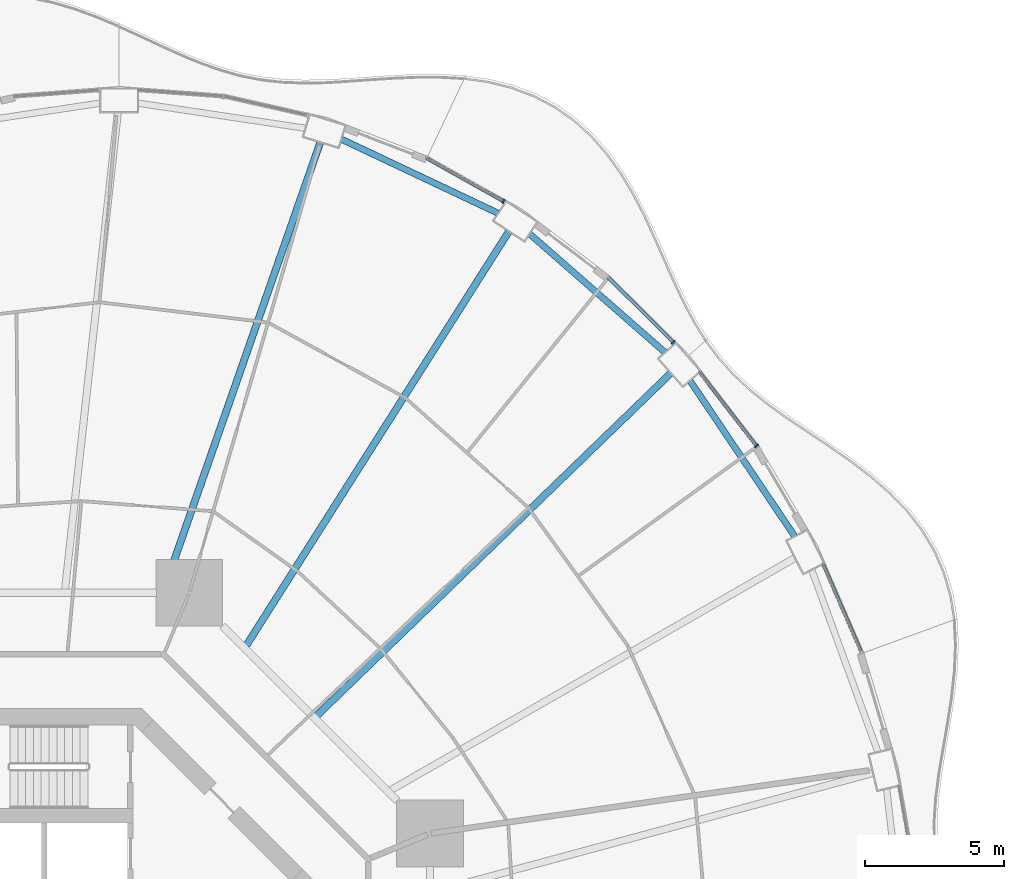
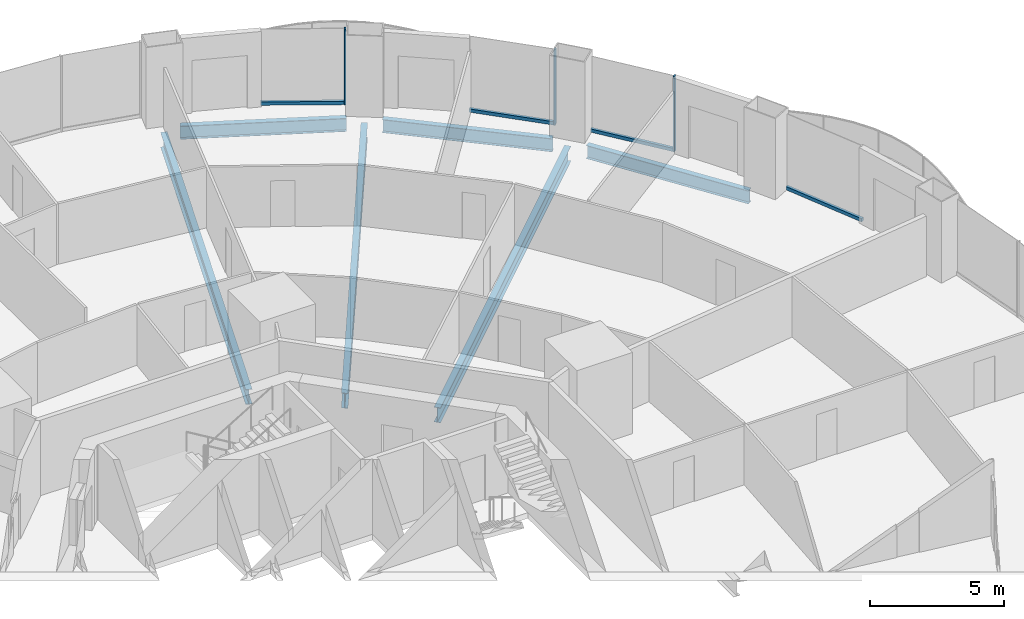
# One storey, part 10 of 22: 7 members, 6 beams, 4 elements without a shape of their own.
"""IFC4 building model written with IfcOpenShell, lengths in metres."""

from ifc_helpers import new_model, si_unit, direction, frame, origin, origin_2d, place, context, subcontext, project, spatial, rectangle, i_section, extrude, material, layer, layer_set, material_profile, profile_set, type_object, element, aggregate, save


model = new_model("IFC4")

# Units and contexts
model_context = context("Model", 3, precision=1e-05, world=origin(), true_north=direction((0.0, 1.0)))
body_context = subcontext(model_context, "Body", "Model", "MODEL_VIEW")
ifc_project = project(units=[si_unit("LENGTHUNIT", "METRE"), si_unit("AREAUNIT", "SQUARE_METRE"), si_unit("VOLUMEUNIT", "CUBIC_METRE"), si_unit("PLANEANGLEUNIT", "RADIAN"), si_unit("MASSUNIT", "GRAM", prefix="KILO")], contexts=[model_context])

# Site, building, storey
site_placement = place(None, origin())
site = spatial("IfcSite", under=ifc_project, at=site_placement, CompositionType="ELEMENT")
building_placement = place(site_placement, origin())
building = spatial("IfcBuilding", under=site, at=building_placement, Name="Nagisa Residences", CompositionType="ELEMENT")
storey_placement = place(building_placement, frame((0.0, 0.0, 38.10009765625)))
storey = spatial("IfcBuildingStorey", under=building, at=storey_placement, Name="L08", CompositionType="ELEMENT", Elevation=38.10009765625)

# Curtain wall, member
ifc_material_1 = material(Name="Concrete-coloured aluminium curtain wall system", Category="concrete")
ifc_layer = layer(ifc_material_1, 0.159912109375)
ifc_layer_set = layer_set([ifc_layer], Name="CW1 CURTAIN WALL")
curtain_wall_type = type_object("IfcCurtainWallType", Name="CW1 CURTAIN WALL", PredefinedType="NOTDEFINED", material=ifc_layer_set)
curtain_wall_1_placement = place(storey_placement, origin())
curtain_wall_1 = element("IfcCurtainWall", 1, at=curtain_wall_1_placement, inside=storey, type_object=curtain_wall_type, Name="cw:CW1:L08:05", PredefinedType="NOTDEFINED")
ifc_material_2 = material(Name="Concrete-coloured aluminium", Category="concrete")
ifc_material_profile_1 = material_profile(ifc_material_2, rectangle(XDim=0.159912109375, YDim=0.06005859375, at=origin_2d()), Name="CW1 MULLION 160x60")
ifc_profile_set_1 = profile_set([ifc_material_profile_1], Name="Concrete-coloured aluminium")
member_type_1 = type_object("IfcMemberType", Name="CW1 MULLION 160x60", PredefinedType="MULLION", material=ifc_profile_set_1)
member_1_placement = place(storey_placement, frame((26.525634765625, 20.06396484375, 0.0), z_axis=(0.0, 0.0, 1.0), x_axis=(-0.792070340816, -0.610429828235, 0.0)))
member_1 = element("IfcMember", 2, at=member_1_placement, type_object=member_type_1, Name="CW1 mullion", PredefinedType="MULLION", context=body_context, shape_type="SweptSolid", body=[
    extrude(rectangle(XDim=0.159912109375, YDim=0.06005859375, at=origin_2d()), origin(), (0.0, 0.0, 1.0), 3.43994140625),
])

curtain_wall_2_placement = place(storey_placement, origin())
curtain_wall_2 = element("IfcCurtainWall", 3, at=curtain_wall_2_placement, inside=storey, type_object=curtain_wall_type, Name="cw:CW1:L08:06", PredefinedType="NOTDEFINED")
member_2_placement = place(storey_placement, frame((23.532958984375, 23.79345703125, 0.0), z_axis=(0.0, 0.0, 1.0), x_axis=(-0.706376885714, -0.707835924016, 0.0)))
member_2 = element("IfcMember", 4, at=member_2_placement, type_object=member_type_1, Name="CW1 mullion", PredefinedType="MULLION", context=body_context, shape_type="SweptSolid", body=[
    extrude(rectangle(XDim=0.159912109375, YDim=0.06005859375, at=origin_2d()), origin(), (0.0, 0.0, 1.0), 3.43994140625),
])

curtain_wall_3_placement = place(storey_placement, origin())
curtain_wall_3 = element("IfcCurtainWall", 5, at=curtain_wall_3_placement, inside=storey, type_object=curtain_wall_type, Name="cw:CW1:L08:08", PredefinedType="NOTDEFINED")
member_3_placement = place(storey_placement, frame((17.42431640625, 28.8662109375, 0.0), z_axis=(0.0, 0.0, 1.0), x_axis=(-0.489376918501, -0.872072377523, 0.0)))
member_3 = element("IfcMember", 6, at=member_3_placement, type_object=member_type_1, Name="CW1 mullion", PredefinedType="MULLION", context=body_context, shape_type="SweptSolid", body=[
    extrude(rectangle(XDim=0.159912109375, YDim=0.06005859375, at=origin_2d()), origin(), (0.0, 0.0, 1.0), 3.43994140625),
])

curtain_wall_4_placement = place(storey_placement, origin())
curtain_wall_4 = element("IfcCurtainWall", 7, at=curtain_wall_4_placement, inside=storey, type_object=curtain_wall_type, Name="cw:CW1:L08:03", PredefinedType="NOTDEFINED")
ifc_material_3 = material(Name="Concrete-coloured aluminium", Category="concrete")
ifc_material_profile_2 = material_profile(ifc_material_3, rectangle(XDim=0.1201171875, YDim=0.14990234375, at=origin_2d()), Name="CW1 TRANSOM 120x150")
ifc_profile_set_2 = profile_set([ifc_material_profile_2], Name="Concrete-coloured aluminium")
member_type_2 = type_object("IfcMemberType", Name="CW1 TRANSOM 120x150", PredefinedType="USERDEFINED", material=ifc_profile_set_2)
member_4_placement = place(storey_placement, frame((30.319091796875, 12.5966796875, 0.074951171875), z_axis=(-0.397624958345, 0.917548032803, 0.0), x_axis=(-0.917548032803, -0.397624958345, 0.0)))
member_4 = element("IfcMember", 8, at=member_4_placement, type_object=member_type_2, Name="CW1 transom", ObjectType="TRANSOM", PredefinedType="USERDEFINED", context=body_context, shape_type="SweptSolid", body=[
    extrude(rectangle(XDim=0.1201171875, YDim=0.14990234375, at=origin_2d()), origin(), (0.0, 0.0, 1.0), 3.51953125),
])
aggregate(curtain_wall_4, [member_4])

# Member
member_5_placement = place(storey_placement, frame((26.5439453125, 20.040283203125, 0.074951171875), z_axis=(-0.610457147657, 0.792049285635, 0.0), x_axis=(-0.792049285635, -0.610457147657, 0.0)))
member_5 = element("IfcMember", 9, at=member_5_placement, type_object=member_type_2, Name="CW1 transom", ObjectType="TRANSOM", PredefinedType="USERDEFINED", context=body_context, shape_type="SweptSolid", body=[
    extrude(rectangle(XDim=0.1201171875, YDim=0.14990234375, at=origin_2d()), origin(), (0.0, 0.0, 1.0), 3.3974609375),
])

aggregate(curtain_wall_1, [member_1, member_5])

member_6_placement = place(storey_placement, frame((23.55419921875, 23.7724609375, 0.074951171875), z_axis=(-0.707876350734, 0.706336373176, 0.0), x_axis=(-0.706336373176, -0.707876350734, 0.0)))
member_6 = element("IfcMember", 10, at=member_6_placement, type_object=member_type_2, Name="CW1 transom", ObjectType="TRANSOM", PredefinedType="USERDEFINED", context=body_context, shape_type="SweptSolid", body=[
    extrude(rectangle(XDim=0.1201171875, YDim=0.14990234375, at=origin_2d()), origin(), (0.0, 0.0, 1.0), 3.329345703125),
])

aggregate(curtain_wall_2, [member_2, member_6])

member_7_placement = place(storey_placement, frame((17.450439453125, 28.8515625, 0.074951171875), z_axis=(-0.872070011948, 0.489381133946, 0.0), x_axis=(-0.489381133946, -0.872070011948, 0.0)))
member_7 = element("IfcMember", 11, at=member_7_placement, type_object=member_type_2, Name="CW1 transom", ObjectType="TRANSOM", PredefinedType="USERDEFINED", context=body_context, shape_type="SweptSolid", body=[
    extrude(rectangle(XDim=0.1201171875, YDim=0.14990234375, at=origin_2d()), origin(), (0.0, 0.0, 1.0), 3.201171875),
])

aggregate(curtain_wall_3, [member_3, member_7])

# Beams
ifc_material_4 = material(Name="Steel ASTM A572 Gr 50", Category="steel")
ifc_material_profile_3 = material_profile(ifc_material_4, i_section(OverallWidth=0.22802734375, OverallDepth=0.60302734375, WebThickness=0.010498046875, FlangeThickness=0.014892578125, at=origin_2d()), Name="W610x101")
ifc_profile_set_3 = profile_set([ifc_material_profile_3], Name="Steel ASTM A572 Gr 50")
beam_type_1 = type_object("IfcBeamType", Name="Perimeter ring beam W610x101", PredefinedType="BEAM", material=ifc_profile_set_3)
beam_1_placement = place(storey_placement, frame((27.899169921875, 16.818603515625, -0.5615234375), z_axis=(-0.558271879663, 0.829658067144, 0.0), x_axis=(-0.829658067144, -0.558271879663, 0.0)))
element("IfcBeam", 12, at=beam_1_placement, inside=storey, type_object=beam_type_1, Name="beam:L08:pb03", PredefinedType="BEAM", context=body_context, shape_type="SweptSolid", body=[
    extrude(i_section(OverallWidth=0.22802734375, OverallDepth=0.60302734375, WebThickness=0.010498046875, FlangeThickness=0.014892578125, at=origin_2d()), origin(), (0.0, 0.0, 1.0), 6.74169921875),
])
beam_2_placement = place(storey_placement, frame((23.236328125, 23.432861328125, -0.5615234375), z_axis=(-0.7525907186, 0.658488580217, 0.0), x_axis=(-0.658488580217, -0.7525907186, 0.0)))
element("IfcBeam", 13, at=beam_2_placement, inside=storey, type_object=beam_type_1, Name="beam:L08:pb04", PredefinedType="BEAM", context=body_context, shape_type="SweptSolid", body=[
    extrude(i_section(OverallWidth=0.22802734375, OverallDepth=0.60302734375, WebThickness=0.010498046875, FlangeThickness=0.014892578125, at=origin_2d()), origin(), (0.0, 0.0, 1.0), 6.470458984375),
])
beam_3_placement = place(storey_placement, frame((17.22900390625, 28.439208984375, -0.5615234375), z_axis=(-0.904215426643, 0.427076646774, 0.0), x_axis=(-0.427076646774, -0.904215426643, 0.0)))
element("IfcBeam", 14, at=beam_3_placement, inside=storey, type_object=beam_type_1, Name="beam:L08:pb05", PredefinedType="BEAM", context=body_context, shape_type="SweptSolid", body=[
    extrude(i_section(OverallWidth=0.22802734375, OverallDepth=0.60302734375, WebThickness=0.010498046875, FlangeThickness=0.014892578125, at=origin_2d()), origin(), (0.0, 0.0, 1.0), 6.2275390625),
])
ifc_material_5 = material(Name="Steel ASTM A572 Gr 50", Category="steel")
ifc_material_profile_4 = material_profile(ifc_material_5, i_section(OverallWidth=0.25390625, OverallDepth=0.68408203125, WebThickness=0.012451171875, FlangeThickness=0.018798828125, at=origin_2d()), Name="W690x140")
ifc_profile_set_4 = profile_set([ifc_material_profile_4], Name="Steel ASTM A572 Gr 50")
beam_type_2 = type_object("IfcBeamType", Name="Radial beam W690x140", PredefinedType="BEAM", material=ifc_profile_set_4)
beam_4_placement = place(storey_placement, frame((23.443115234375, 22.681640625, -0.60205078125), z_axis=(-0.718678305776, -0.695342716081, 0.0), x_axis=(0.695342716081, -0.718678305776, 0.0)))
element("IfcBeam", 15, at=beam_4_placement, inside=storey, type_object=beam_type_2, Name="beam:L08:rb04", PredefinedType="BEAM", context=body_context, shape_type="SweptSolid", body=[
    extrude(i_section(OverallWidth=0.25390625, OverallDepth=0.68408203125, WebThickness=0.012451171875, FlangeThickness=0.018798828125, at=origin_2d()), origin(), (0.0, 0.0, 1.0), 17.722900390625),
])
beam_5_placement = place(storey_placement, frame((17.61962890625, 27.78271484375, -0.60205078125), z_axis=(-0.53556610664, -0.844493306911, 0.0), x_axis=(0.844493306911, -0.53556610664, 0.0)))
element("IfcBeam", 16, at=beam_5_placement, inside=storey, type_object=beam_type_2, Name="beam:L08:rb05", PredefinedType="BEAM", context=body_context, shape_type="SweptSolid", body=[
    extrude(i_section(OverallWidth=0.25390625, OverallDepth=0.68408203125, WebThickness=0.012451171875, FlangeThickness=0.018798828125, at=origin_2d()), origin(), (0.0, 0.0, 1.0), 17.63525390625),
])
beam_6_placement = place(storey_placement, frame((10.834228515625, 30.986328125, -0.60205078125), z_axis=(-0.330051195485, -0.943963033364, 0.0), x_axis=(0.943963033364, -0.330051195485, 0.0)))
element("IfcBeam", 17, at=beam_6_placement, inside=storey, type_object=beam_type_2, Name="beam:L08:rb06", PredefinedType="BEAM", context=body_context, shape_type="SweptSolid", body=[
    extrude(i_section(OverallWidth=0.25390625, OverallDepth=0.68408203125, WebThickness=0.012451171875, FlangeThickness=0.018798828125, at=origin_2d()), origin(), (0.0, 0.0, 1.0), 17.045654296875),
])

save(model, "model.ifc")
